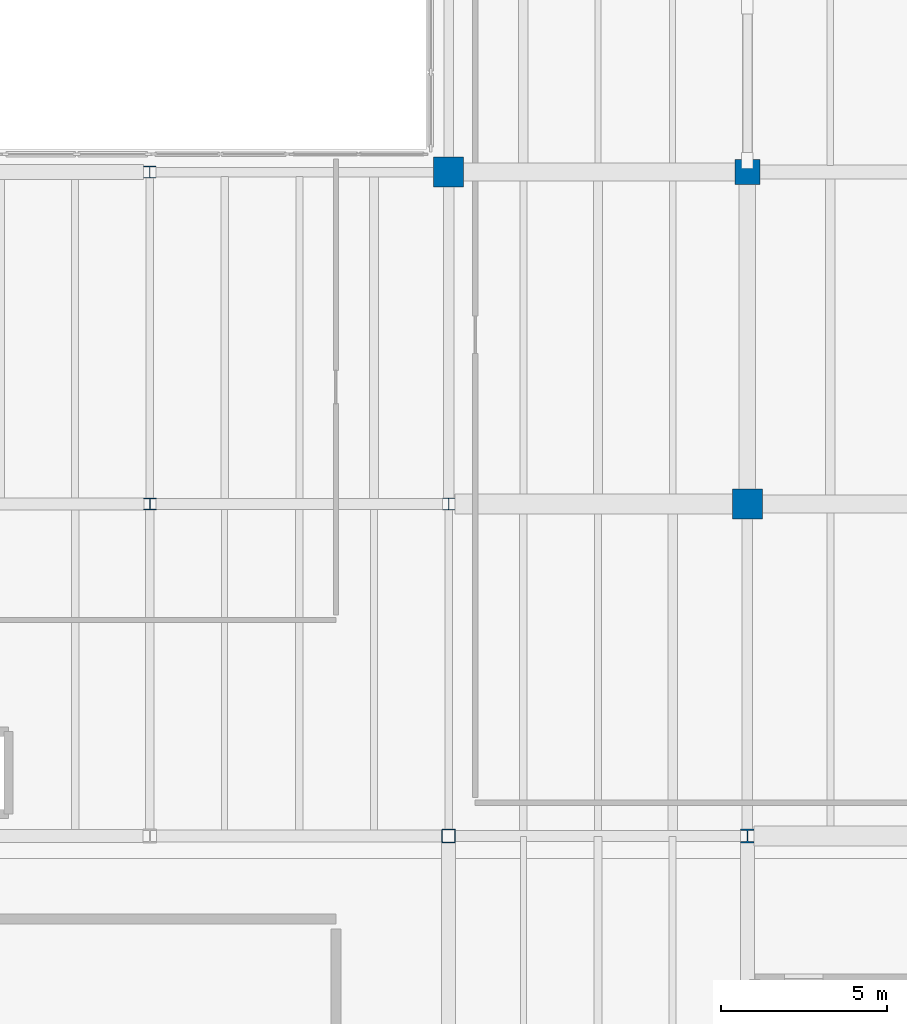
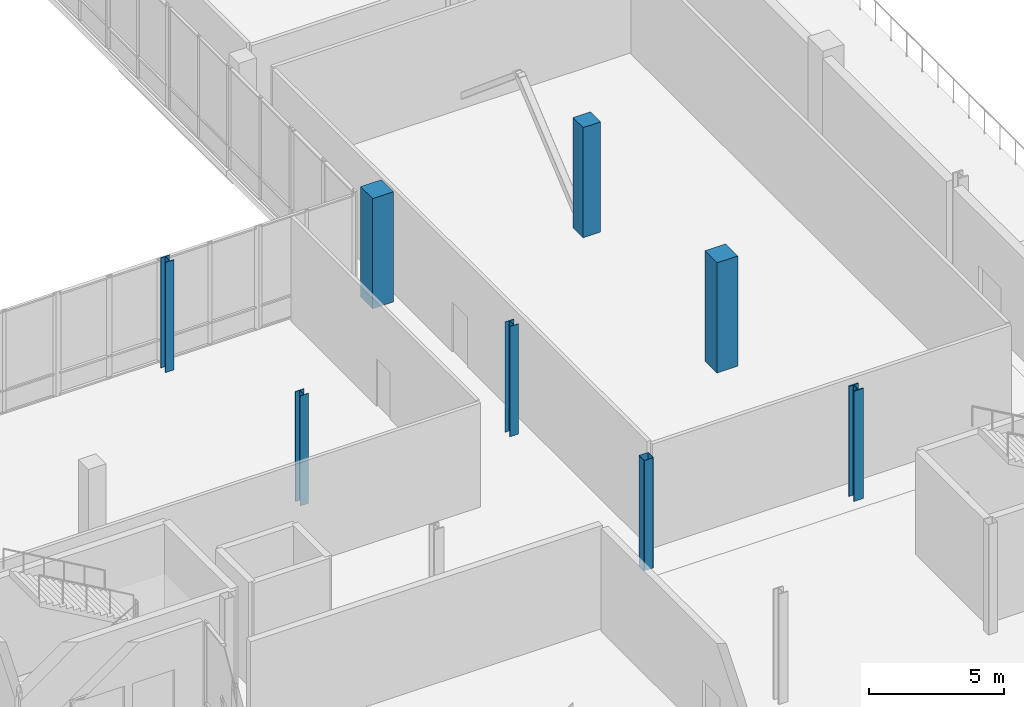
# One storey, part 3 of 73: 8 columns.
"""IFC4 building model written with IfcOpenShell, lengths in metres."""

from ifc_helpers import new_model, si_unit, direction, frame, origin, origin_2d, place, context, subcontext, project, spatial, rectangle, hollow_rectangle, i_section, extrude, material, material_profile, profile_set, type_object, element, save


model = new_model("IFC4")

# Units and contexts
model_context = context("Model", 3, precision=1e-05, world=origin(), true_north=direction((0.0, 1.0)))
body_context = subcontext(model_context, "Body", "Model", "MODEL_VIEW")
ifc_project = project(units=[si_unit("LENGTHUNIT", "METRE"), si_unit("AREAUNIT", "SQUARE_METRE"), si_unit("VOLUMEUNIT", "CUBIC_METRE"), si_unit("PLANEANGLEUNIT", "RADIAN"), si_unit("MASSUNIT", "GRAM", prefix="KILO")], contexts=[model_context])

# Site, building, storey
site_placement = place(None, origin())
site = spatial("IfcSite", under=ifc_project, at=site_placement, CompositionType="ELEMENT")
building_placement = place(site_placement, origin())
building = spatial("IfcBuilding", under=site, at=building_placement, Name="Trimount Lyric Opera House", CompositionType="ELEMENT")
storey_placement = place(building_placement, frame((0.0, 0.0, 10.0)))
storey = spatial("IfcBuildingStorey", under=building, at=storey_placement, Name="L02", CompositionType="ELEMENT", Elevation=10.0)

# Columns
ifc_material_1 = material(Name="Steel ASTM A992 Grade 50", Category="steel")
ifc_material_profile_1 = material_profile(ifc_material_1, i_section(OverallWidth=0.406005859375, OverallDepth=0.4169921875, WebThickness=0.02978515625, FlangeThickness=0.048095703125, FilletRadius=0.01806640625, at=origin_2d()), Name="W14X257")
ifc_profile_set_1 = profile_set([ifc_material_profile_1], Name="Steel ASTM A992 Grade 50")
column_type_1 = type_object("IfcColumnType", Name="C-02", PredefinedType="COLUMN", material=ifc_profile_set_1)
column_1_placement = place(storey_placement, frame((54.0, 54.0, 0.0), z_axis=(0.0, 0.0, 1.0), x_axis=(1.0, 0.0, 0.0)))
element("IfcColumn", 1, at=column_1_placement, inside=storey, type_object=column_type_1, Name="L02 column 7/G", PredefinedType="COLUMN", context=body_context, shape_type="SweptSolid", body=[
    extrude(i_section(OverallWidth=0.406005859375, OverallDepth=0.4169921875, WebThickness=0.02978515625, FlangeThickness=0.048095703125, FilletRadius=0.01806640625, at=origin_2d()), origin(), (0.0, 0.0, 1.0), 5.0),
])
ifc_material_2 = material(Name="Steel ASTM A992 Grade 50", Category="steel")
ifc_material_profile_2 = material_profile(ifc_material_2, i_section(OverallWidth=0.373046875, OverallDepth=0.367919921875, WebThickness=0.014892578125, FlangeThickness=0.02392578125, FilletRadius=0.014892578125, at=origin_2d()), Name="W14X120")
ifc_profile_set_2 = profile_set([ifc_material_profile_2], Name="Steel ASTM A992 Grade 50")
column_type_2 = type_object("IfcColumnType", Name="C-04", PredefinedType="COLUMN", material=ifc_profile_set_2)
for number, where, z_axis, x_axis, name in (
    (2, (36.0, 74.0, 0.0), (0.0, 0.0, 1.0), (1.0, 0.0, 0.0), "L02 column 5/J"),
    (3, (45.0, 64.0, 0.0), (0.0, 0.0, 1.0), (1.0, 0.0, 0.0), "L02 column 6/H"),
):
    element("IfcColumn", number, at=place(storey_placement, frame(where, z_axis=z_axis, x_axis=x_axis)), inside=storey, type_object=column_type_2, Name=name, PredefinedType="COLUMN", context=body_context, shape_type="SweptSolid", body=[
        extrude(i_section(OverallWidth=0.373046875, OverallDepth=0.367919921875, WebThickness=0.014892578125, FlangeThickness=0.02392578125, FilletRadius=0.014892578125, at=origin_2d()), origin(), (0.0, 0.0, 1.0), 5.0),
    ])
ifc_material_3 = material(Name="Steel ASTM A500 Grade C", Category="steel")
ifc_material_profile_3 = material_profile(ifc_material_3, hollow_rectangle(XDim=0.406494140625, YDim=0.406494140625, WallThickness=0.014892578125, InnerFilletRadius=0.01513671875, OuterFilletRadius=0.030029296875, at=origin_2d()), Name="HSS406.4X406.4X15.9")
ifc_profile_set_3 = profile_set([ifc_material_profile_3], Name="Steel ASTM A500 Grade C")
column_type_3 = type_object("IfcColumnType", Name="C-07", PredefinedType="COLUMN", material=ifc_profile_set_3)
column_2_placement = place(storey_placement, frame((45.0, 54.0, 0.0), z_axis=(0.0, 0.0, 1.0), x_axis=(1.0, 0.0, 0.0)))
element("IfcColumn", 4, at=column_2_placement, inside=storey, type_object=column_type_3, Name="L02 column 6/G", PredefinedType="COLUMN", context=body_context, shape_type="SweptSolid", body=[
    extrude(hollow_rectangle(XDim=0.406494140625, YDim=0.406494140625, WallThickness=0.014892578125, InnerFilletRadius=0.01513671875, OuterFilletRadius=0.030029296875, at=origin_2d()), origin(), (0.0, 0.0, 1.0), 5.0),
])
ifc_material_4 = material(Name="Steel ASTM A992 Grade 50", Category="steel")
ifc_material_profile_4 = material_profile(ifc_material_4, i_section(OverallWidth=0.367919921875, OverallDepth=0.35595703125, WebThickness=0.01123046875, FlangeThickness=0.01806640625, FilletRadius=0.014892578125, at=origin_2d()), Name="W14X90")
ifc_profile_set_4 = profile_set([ifc_material_profile_4], Name="Steel ASTM A992 Grade 50")
column_type_4 = type_object("IfcColumnType", Name="C-09", PredefinedType="COLUMN", material=ifc_profile_set_4)
column_3_placement = place(storey_placement, frame((36.0, 64.0, 0.0), z_axis=(0.0, 0.0, 1.0), x_axis=(1.0, 0.0, 0.0)))
element("IfcColumn", 5, at=column_3_placement, inside=storey, type_object=column_type_4, Name="L02 column 5/H", PredefinedType="COLUMN", context=body_context, shape_type="SweptSolid", body=[
    extrude(i_section(OverallWidth=0.367919921875, OverallDepth=0.35595703125, WebThickness=0.01123046875, FlangeThickness=0.01806640625, FilletRadius=0.014892578125, at=origin_2d()), origin(), (0.0, 0.0, 1.0), 5.0),
])
ifc_material_5 = material(Name="Concrete C50/60", Category="concrete")
ifc_material_profile_5 = material_profile(ifc_material_5, rectangle(XDim=0.89990234375, YDim=0.89990234375, at=origin_2d()), Name="RC900X900")
ifc_profile_set_5 = profile_set([ifc_material_profile_5], Name="Concrete C50/60")
column_type_5 = type_object("IfcColumnType", Name="C-13", PredefinedType="COLUMN", material=ifc_profile_set_5)
for number, where, z_axis, x_axis, name in (
    (6, (45.0, 74.0, 0.0), (0.0, 0.0, 1.0), (1.0, 0.0, 0.0), "L02 column 6/J"),
    (7, (54.0, 64.0, 0.0), (0.0, 0.0, 1.0), (1.0, 0.0, 0.0), "L02 column 7/H"),
):
    element("IfcColumn", number, at=place(storey_placement, frame(where, z_axis=z_axis, x_axis=x_axis)), inside=storey, type_object=column_type_5, Name=name, PredefinedType="COLUMN", context=body_context, shape_type="SweptSolid", body=[
        extrude(rectangle(XDim=0.89990234375, YDim=0.89990234375, at=origin_2d()), origin(), (0.0, 0.0, 1.0), 5.0),
    ])
ifc_material_6 = material(Name="Concrete C40/50", Category="concrete")
ifc_material_profile_6 = material_profile(ifc_material_6, rectangle(XDim=0.75, YDim=0.75, at=origin_2d()), Name="RC750X750")
ifc_profile_set_6 = profile_set([ifc_material_profile_6], Name="Concrete C40/50")
column_type_6 = type_object("IfcColumnType", Name="C-15", PredefinedType="COLUMN", material=ifc_profile_set_6)
column_4_placement = place(storey_placement, frame((54.0, 74.0, 0.0), z_axis=(0.0, 0.0, 1.0), x_axis=(1.0, 0.0, 0.0)))
element("IfcColumn", 8, at=column_4_placement, inside=storey, type_object=column_type_6, Name="L02 column 7/J", PredefinedType="COLUMN", context=body_context, shape_type="SweptSolid", body=[
    extrude(rectangle(XDim=0.75, YDim=0.75, at=origin_2d()), origin(), (0.0, 0.0, 1.0), 5.0),
])

save(model, "model.ifc")
